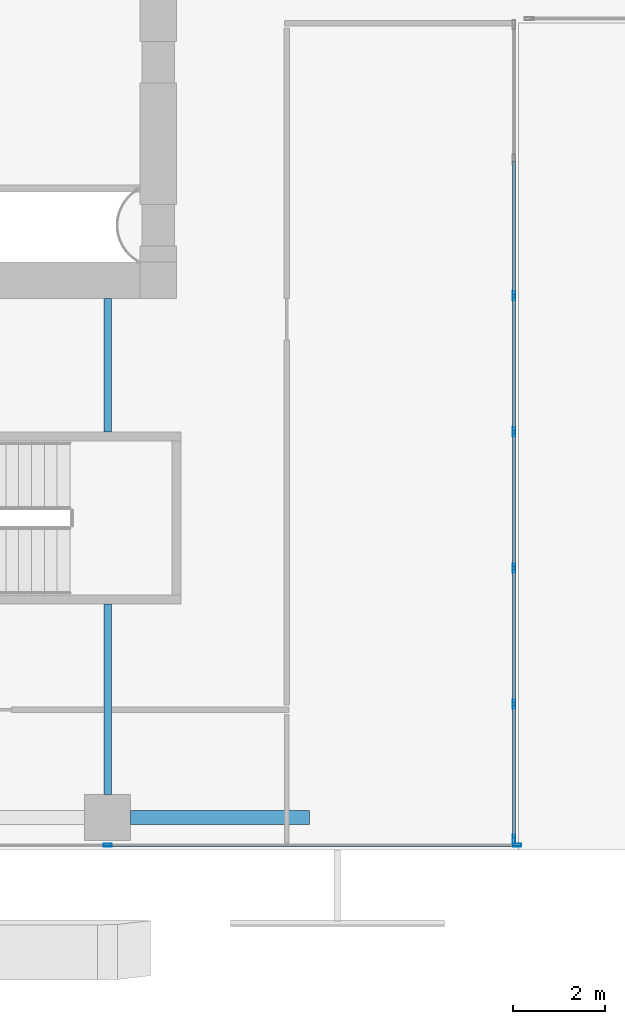
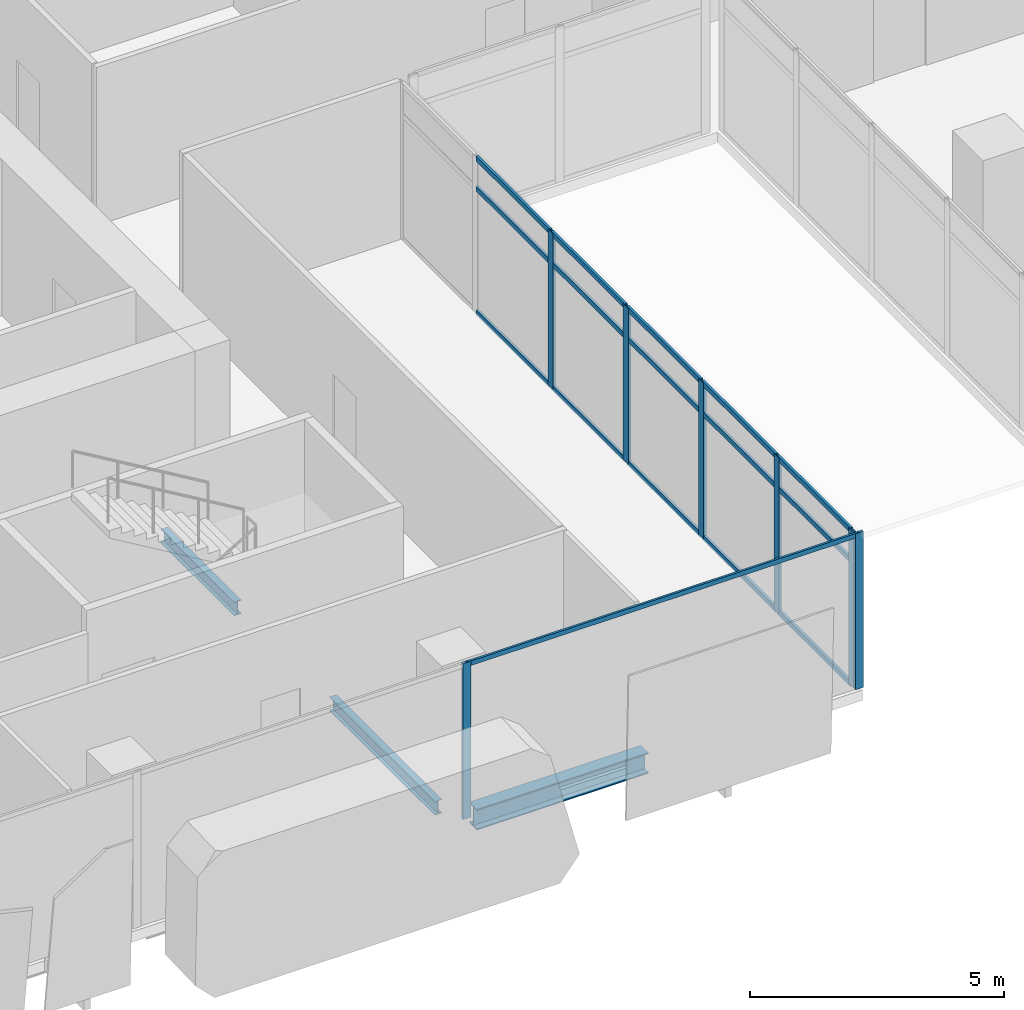
# One storey, part 5 of 40: 23 members, 3 beams, 2 elements without a shape of their own.
"""IFC4 building model written with IfcOpenShell, lengths in metres."""

from ifc_helpers import new_model, si_unit, direction, frame, origin, origin_2d, place, context, subcontext, project, spatial, hollow_rectangle, i_section, extrude, source, transform, mapped, material, material_profile, profile_set, type_object, element, aggregate, save


model = new_model("IFC4")

# Units and contexts
model_context = context("Model", 3, precision=1e-05, world=origin(), true_north=direction((0.0, 1.0)))
body_context = subcontext(model_context, "Body", "Model", "MODEL_VIEW")
ifc_project = project(units=[si_unit("LENGTHUNIT", "METRE"), si_unit("AREAUNIT", "SQUARE_METRE"), si_unit("VOLUMEUNIT", "CUBIC_METRE"), si_unit("PLANEANGLEUNIT", "RADIAN"), si_unit("MASSUNIT", "GRAM", prefix="KILO")], contexts=[model_context])

# Site, building, storey
site_placement = place(None, origin())
site = spatial("IfcSite", under=ifc_project, at=site_placement, CompositionType="ELEMENT")
building_placement = place(site_placement, origin())
building = spatial("IfcBuilding", under=site, at=building_placement, Name="Khomas Fold Tower", CompositionType="ELEMENT")
storey_placement = place(building_placement, frame((0.0, 0.0, 184.699951171875)))
storey = spatial("IfcBuildingStorey", under=building, at=storey_placement, Name="L40", CompositionType="ELEMENT", Elevation=184.699951171875)

# Beams
ifc_material_1 = material(Name="Steel S355", Category="steel")
ifc_material_profile_1 = material_profile(ifc_material_1, i_section(OverallWidth=0.300048828125, OverallDepth=0.5, WebThickness=0.014404296875, FlangeThickness=0.028076171875, at=origin_2d()), Name="HE 500 B")
ifc_profile_set_1 = profile_set([ifc_material_profile_1], Name="Steel S355")
beam_type_1 = type_object("IfcBeamType", Name="HE 500 B spandrel SB3", PredefinedType="SPANDREL", material=ifc_profile_set_1)
shared_shape_1 = source(origin(), body_context, "Body", "SweptSolid", [
    extrude(i_section(OverallWidth=0.300048828125, OverallDepth=0.5, WebThickness=0.014404296875, FlangeThickness=0.028076171875, at=origin_2d()), origin(), (0.0, 0.0, 1.0), 3.89990234375),
])
beam_1_placement = place(storey_placement, frame((20.0, 3.699951171875, -0.5), z_axis=(1.0, 0.0, 0.0), x_axis=(0.0, 1.0, 0.0)))
element("IfcBeam", 1, at=beam_1_placement, inside=storey, type_object=beam_type_1, Name="SB3", PredefinedType="SPANDREL", context=body_context, shape_type="MappedRepresentation", body=[
    mapped(shared_shape_1, transform((0.0, 0.0, 0.0))),
])
ifc_material_2 = material(Name="Steel S355", Category="steel")
ifc_material_profile_2 = material_profile(ifc_material_2, i_section(OverallWidth=0.159912109375, OverallDepth=0.330078125, WebThickness=0.007568359375, FlangeThickness=0.011474609375, at=origin_2d()), Name="IPE 330")
ifc_profile_set_2 = profile_set([ifc_material_profile_2], Name="Steel S355")
beam_type_2 = type_object("IfcBeamType", Name="IPE 330 beam JB1", PredefinedType="BEAM", material=ifc_profile_set_2)
shared_shape_2 = source(origin(), body_context, "Body", "SweptSolid", [
    extrude(i_section(OverallWidth=0.159912109375, OverallDepth=0.330078125, WebThickness=0.007568359375, FlangeThickness=0.011474609375, at=origin_2d()), origin(), (0.0, 0.0, 1.0), 4.150146484375),
])
beam_2_placement = place(storey_placement, frame((19.5, 4.199951171875, -0.4150390625), z_axis=(0.0, 1.0, 0.0), x_axis=(-1.0, 0.0, 0.0)))
element("IfcBeam", 2, at=beam_2_placement, inside=storey, type_object=beam_type_2, Name="JB1", PredefinedType="BEAM", context=body_context, shape_type="MappedRepresentation", body=[
    mapped(shared_shape_2, transform((0.0, 0.0, 0.0))),
])
shared_shape_3 = source(origin(), body_context, "Body", "SweptSolid", [
    extrude(i_section(OverallWidth=0.159912109375, OverallDepth=0.330078125, WebThickness=0.007568359375, FlangeThickness=0.011474609375, at=origin_2d()), origin(), (0.0, 0.0, 1.0), 2.89990234375),
])
beam_3_placement = place(storey_placement, frame((19.5, 12.10009765625, -0.4150390625), z_axis=(0.0, 1.0, 0.0), x_axis=(-1.0, 0.0, 0.0)))
element("IfcBeam", 3, at=beam_3_placement, inside=storey, type_object=beam_type_2, Name="JB1", PredefinedType="BEAM", context=body_context, shape_type="MappedRepresentation", body=[
    mapped(shared_shape_3, transform((0.0, 0.0, 0.0))),
])

# Curtain wall, members
ifc_material_3 = material(Name="Aluminium framed double glazing", Category="aluminium")
curtain_wall_type_1 = type_object("IfcCurtainWallType", Name="SK-Unitised clear-glass wall, office floors CW2", PredefinedType="NOTDEFINED", material=ifc_material_3)
curtain_wall_1_placement = place(storey_placement, origin())
curtain_wall_1 = element("IfcCurtainWall", 4, at=curtain_wall_1_placement, inside=storey, type_object=curtain_wall_type_1, Name="CW2 run L40 01-0", PredefinedType="NOTDEFINED")
ifc_material_4 = material(Name="Aluminium", Category="aluminium")
ifc_material_profile_3 = material_profile(ifc_material_4, hollow_rectangle(XDim=0.06005859375, YDim=0.179931640625, WallThickness=0.00390625, at=origin_2d()), Name="SK-Unitised clear-glass wall, office floors mullion CW2-M")
ifc_profile_set_3 = profile_set([ifc_material_profile_3], Name="Aluminium")
member_type_1 = type_object("IfcMemberType", Name="SK-Unitised clear-glass wall, office floors mullion CW2-M", PredefinedType="MULLION", material=ifc_profile_set_3)
shared_shape_4 = source(origin(), body_context, "Body", "SweptSolid", [
    extrude(hollow_rectangle(XDim=0.06005859375, YDim=0.179931640625, WallThickness=0.00390625, at=origin_2d()), origin(), (0.0, 0.0, 1.0), 3.75),
])
member_1_placement = place(storey_placement, frame((19.5, 3.10009765625, 0.0), z_axis=(0.0, 0.0, 1.0), x_axis=(0.0, 1.0, 0.0)))
member_1 = element("IfcMember", 5, at=member_1_placement, type_object=member_type_1, Name="CW2 mullion 4", PredefinedType="MULLION", context=body_context, shape_type="MappedRepresentation", body=[
    mapped(shared_shape_4, transform((0.0, 0.0, 0.0))),
])
member_2_placement = place(storey_placement, frame((28.419921875, 3.10009765625, 0.0), z_axis=(0.0, 0.0, 1.0), x_axis=(0.0, 1.0, 0.0)))
member_2 = element("IfcMember", 6, at=member_2_placement, type_object=member_type_1, Name="CW2 mullion 5", PredefinedType="MULLION", context=body_context, shape_type="MappedRepresentation", body=[
    mapped(shared_shape_4, transform((0.0, 0.0, 0.0))),
])
ifc_material_5 = material(Name="Aluminium", Category="aluminium")
ifc_material_profile_4 = material_profile(ifc_material_5, hollow_rectangle(XDim=0.050048828125, YDim=0.110107421875, WallThickness=0.00390625, at=origin_2d()), Name="SK-Unitised clear-glass wall, office floors transom CW2-T")
ifc_profile_set_4 = profile_set([ifc_material_profile_4], Name="Aluminium")
member_type_2 = type_object("IfcMemberType", Name="SK-Unitised clear-glass wall, office floors transom CW2-T", PredefinedType="USERDEFINED", material=ifc_profile_set_4)
shared_shape_5 = source(origin(), body_context, "Body", "SweptSolid", [
    extrude(hollow_rectangle(XDim=0.050048828125, YDim=0.110107421875, WallThickness=0.00390625, at=origin_2d()), origin(), (0.0, 0.0, 1.0), 8.85986328125),
])
member_3_placement = place(storey_placement, frame((19.530029296875, 3.10009765625, 3.695068359375), z_axis=(1.0, 0.0, 0.0), x_axis=(0.0, 1.0, 0.0)))
member_3 = element("IfcMember", 7, at=member_3_placement, type_object=member_type_2, Name="CW2 transom 4", ObjectType="TRANSOM", PredefinedType="USERDEFINED", context=body_context, shape_type="MappedRepresentation", body=[
    mapped(shared_shape_5, transform((0.0, 0.0, 0.0))),
])
aggregate(curtain_wall_1, [member_1, member_2, member_3])

ifc_material_6 = material(Name="Aluminium framed double glazing", Category="aluminium")
curtain_wall_type_2 = type_object("IfcCurtainWallType", Name="Notch glazing GN-CW", PredefinedType="NOTDEFINED", material=ifc_material_6)
curtain_wall_2_placement = place(storey_placement, origin())
curtain_wall_2 = element("IfcCurtainWall", 8, at=curtain_wall_2_placement, inside=storey, type_object=curtain_wall_type_2, Name="Notch glazing run", PredefinedType="NOTDEFINED")
ifc_material_7 = material(Name="Aluminium", Category="aluminium")
ifc_material_profile_5 = material_profile(ifc_material_7, hollow_rectangle(XDim=0.06005859375, YDim=0.1201171875, WallThickness=0.00390625, at=origin_2d()), Name="Notch glazing transom GN-CW-T")
ifc_profile_set_5 = profile_set([ifc_material_profile_5], Name="Aluminium")
member_type_3 = type_object("IfcMemberType", Name="Notch glazing transom GN-CW-T", PredefinedType="USERDEFINED", material=ifc_profile_set_5)
shared_shape_6 = source(origin(), body_context, "Body", "SweptSolid", [
    extrude(hollow_rectangle(XDim=0.06005859375, YDim=0.1201171875, WallThickness=0.00390625, at=origin_2d()), origin(), (0.0, 0.0, 1.0), 2.876708984375),
])
member_4_placement = place(storey_placement, frame((28.35009765625, 3.260009765625, 0.030029296875), z_axis=(0.0, 1.0, 0.0), x_axis=(-1.0, 0.0, 0.0)))
member_4 = element("IfcMember", 9, at=member_4_placement, type_object=member_type_3, Name="GN-CW transom 1.1", ObjectType="TRANSOM", PredefinedType="USERDEFINED", context=body_context, shape_type="MappedRepresentation", body=[
    mapped(shared_shape_6, transform((0.0, 0.0, 0.0))),
])
member_5_placement = place(storey_placement, frame((28.35009765625, 3.260009765625, 3.0), z_axis=(0.0, 1.0, 0.0), x_axis=(-1.0, 0.0, 0.0)))
member_5 = element("IfcMember", 10, at=member_5_placement, type_object=member_type_3, Name="GN-CW transom 1.2", ObjectType="TRANSOM", PredefinedType="USERDEFINED", context=body_context, shape_type="MappedRepresentation", body=[
    mapped(shared_shape_6, transform((0.0, 0.0, 0.0))),
])
member_6_placement = place(storey_placement, frame((28.35009765625, 3.260009765625, 3.719970703125), z_axis=(0.0, 1.0, 0.0), x_axis=(-1.0, 0.0, 0.0)))
member_6 = element("IfcMember", 11, at=member_6_placement, type_object=member_type_3, Name="GN-CW transom 1.3", ObjectType="TRANSOM", PredefinedType="USERDEFINED", context=body_context, shape_type="MappedRepresentation", body=[
    mapped(shared_shape_6, transform((0.0, 0.0, 0.0))),
])
shared_shape_7 = source(origin(), body_context, "Body", "SweptSolid", [
    extrude(hollow_rectangle(XDim=0.06005859375, YDim=0.1201171875, WallThickness=0.00390625, at=origin_2d()), origin(), (0.0, 0.0, 1.0), 2.90673828125),
])
member_7_placement = place(storey_placement, frame((28.35009765625, 9.163330078125, 0.030029296875), z_axis=(0.0, 1.0, 0.0), x_axis=(-1.0, 0.0, 0.0)))
member_7 = element("IfcMember", 12, at=member_7_placement, type_object=member_type_3, Name="GN-CW transom 3.1", ObjectType="TRANSOM", PredefinedType="USERDEFINED", context=body_context, shape_type="MappedRepresentation", body=[
    mapped(shared_shape_7, transform((0.0, 0.0, 0.0))),
])
member_8_placement = place(storey_placement, frame((28.35009765625, 9.163330078125, 3.0), z_axis=(0.0, 1.0, 0.0), x_axis=(-1.0, 0.0, 0.0)))
member_8 = element("IfcMember", 13, at=member_8_placement, type_object=member_type_3, Name="GN-CW transom 3.2", ObjectType="TRANSOM", PredefinedType="USERDEFINED", context=body_context, shape_type="MappedRepresentation", body=[
    mapped(shared_shape_7, transform((0.0, 0.0, 0.0))),
])
member_9_placement = place(storey_placement, frame((28.35009765625, 9.163330078125, 3.719970703125), z_axis=(0.0, 1.0, 0.0), x_axis=(-1.0, 0.0, 0.0)))
member_9 = element("IfcMember", 14, at=member_9_placement, type_object=member_type_3, Name="GN-CW transom 3.3", ObjectType="TRANSOM", PredefinedType="USERDEFINED", context=body_context, shape_type="MappedRepresentation", body=[
    mapped(shared_shape_7, transform((0.0, 0.0, 0.0))),
])
member_10_placement = place(storey_placement, frame((28.35009765625, 12.1298828125, 0.030029296875), z_axis=(0.0, 1.0, 0.0), x_axis=(-1.0, 0.0, 0.0)))
member_10 = element("IfcMember", 15, at=member_10_placement, type_object=member_type_3, Name="GN-CW transom 4.1", ObjectType="TRANSOM", PredefinedType="USERDEFINED", context=body_context, shape_type="MappedRepresentation", body=[
    mapped(shared_shape_7, transform((0.0, 0.0, 0.0))),
])
member_11_placement = place(storey_placement, frame((28.35009765625, 12.1298828125, 3.0), z_axis=(0.0, 1.0, 0.0), x_axis=(-1.0, 0.0, 0.0)))
member_11 = element("IfcMember", 16, at=member_11_placement, type_object=member_type_3, Name="GN-CW transom 4.2", ObjectType="TRANSOM", PredefinedType="USERDEFINED", context=body_context, shape_type="MappedRepresentation", body=[
    mapped(shared_shape_7, transform((0.0, 0.0, 0.0))),
])
member_12_placement = place(storey_placement, frame((28.35009765625, 12.1298828125, 3.719970703125), z_axis=(0.0, 1.0, 0.0), x_axis=(-1.0, 0.0, 0.0)))
member_12 = element("IfcMember", 17, at=member_12_placement, type_object=member_type_3, Name="GN-CW transom 4.3", ObjectType="TRANSOM", PredefinedType="USERDEFINED", context=body_context, shape_type="MappedRepresentation", body=[
    mapped(shared_shape_7, transform((0.0, 0.0, 0.0))),
])
member_13_placement = place(storey_placement, frame((28.35009765625, 15.0966796875, 0.030029296875), z_axis=(0.0, 1.0, 0.0), x_axis=(-1.0, 0.0, 0.0)))
member_13 = element("IfcMember", 18, at=member_13_placement, type_object=member_type_3, Name="GN-CW transom 5.1", ObjectType="TRANSOM", PredefinedType="USERDEFINED", context=body_context, shape_type="MappedRepresentation", body=[
    mapped(shared_shape_7, transform((0.0, 0.0, 0.0))),
])
member_14_placement = place(storey_placement, frame((28.35009765625, 15.0966796875, 3.0), z_axis=(0.0, 1.0, 0.0), x_axis=(-1.0, 0.0, 0.0)))
member_14 = element("IfcMember", 19, at=member_14_placement, type_object=member_type_3, Name="GN-CW transom 5.2", ObjectType="TRANSOM", PredefinedType="USERDEFINED", context=body_context, shape_type="MappedRepresentation", body=[
    mapped(shared_shape_7, transform((0.0, 0.0, 0.0))),
])
member_15_placement = place(storey_placement, frame((28.35009765625, 15.0966796875, 3.719970703125), z_axis=(0.0, 1.0, 0.0), x_axis=(-1.0, 0.0, 0.0)))
member_15 = element("IfcMember", 20, at=member_15_placement, type_object=member_type_3, Name="GN-CW transom 5.3", ObjectType="TRANSOM", PredefinedType="USERDEFINED", context=body_context, shape_type="MappedRepresentation", body=[
    mapped(shared_shape_7, transform((0.0, 0.0, 0.0))),
])
shared_shape_8 = source(origin(), body_context, "Body", "SweptSolid", [
    extrude(hollow_rectangle(XDim=0.06005859375, YDim=0.1201171875, WallThickness=0.00390625, at=origin_2d()), origin(), (0.0, 0.0, 1.0), 2.906494140625),
])
member_16_placement = place(storey_placement, frame((28.35009765625, 6.19677734375, 0.030029296875), z_axis=(0.0, 1.0, 0.0), x_axis=(-1.0, 0.0, 0.0)))
member_16 = element("IfcMember", 21, at=member_16_placement, type_object=member_type_3, Name="GN-CW transom 2.1", ObjectType="TRANSOM", PredefinedType="USERDEFINED", context=body_context, shape_type="MappedRepresentation", body=[
    mapped(shared_shape_8, transform((0.0, 0.0, 0.0))),
])
member_17_placement = place(storey_placement, frame((28.35009765625, 6.19677734375, 3.0), z_axis=(0.0, 1.0, 0.0), x_axis=(-1.0, 0.0, 0.0)))
member_17 = element("IfcMember", 22, at=member_17_placement, type_object=member_type_3, Name="GN-CW transom 2.2", ObjectType="TRANSOM", PredefinedType="USERDEFINED", context=body_context, shape_type="MappedRepresentation", body=[
    mapped(shared_shape_8, transform((0.0, 0.0, 0.0))),
])
member_18_placement = place(storey_placement, frame((28.35009765625, 6.19677734375, 3.719970703125), z_axis=(0.0, 1.0, 0.0), x_axis=(-1.0, 0.0, 0.0)))
member_18 = element("IfcMember", 23, at=member_18_placement, type_object=member_type_3, Name="GN-CW transom 2.3", ObjectType="TRANSOM", PredefinedType="USERDEFINED", context=body_context, shape_type="MappedRepresentation", body=[
    mapped(shared_shape_8, transform((0.0, 0.0, 0.0))),
])
ifc_material_8 = material(Name="Aluminium", Category="aluminium")
ifc_material_profile_6 = material_profile(ifc_material_8, hollow_rectangle(XDim=0.06005859375, YDim=0.199951171875, WallThickness=0.00390625, at=origin_2d()), Name="Notch glazing mullion GN-CW-M")
ifc_profile_set_6 = profile_set([ifc_material_profile_6], Name="Aluminium")
member_type_4 = type_object("IfcMemberType", Name="Notch glazing mullion GN-CW-M", PredefinedType="MULLION", material=ifc_profile_set_6)
shared_shape_9 = source(origin(), body_context, "Body", "SweptSolid", [
    extrude(hollow_rectangle(XDim=0.06005859375, YDim=0.199951171875, WallThickness=0.00390625, at=origin_2d()), origin(), (0.0, 0.0, 1.0), 3.75),
])
member_19_placement = place(storey_placement, frame((28.35009765625, 3.22998046875, 0.0), z_axis=(0.0, 0.0, 1.0), x_axis=(-1.0, 0.0, 0.0)))
member_19 = element("IfcMember", 24, at=member_19_placement, type_object=member_type_4, Name="GN-CW mullion 1", PredefinedType="MULLION", context=body_context, shape_type="MappedRepresentation", body=[
    mapped(shared_shape_9, transform((0.0, 0.0, 0.0))),
])
member_20_placement = place(storey_placement, frame((28.35009765625, 6.166748046875, 0.0), z_axis=(0.0, 0.0, 1.0), x_axis=(-1.0, 0.0, 0.0)))
member_20 = element("IfcMember", 25, at=member_20_placement, type_object=member_type_4, Name="GN-CW mullion 2", PredefinedType="MULLION", context=body_context, shape_type="MappedRepresentation", body=[
    mapped(shared_shape_9, transform((0.0, 0.0, 0.0))),
])
member_21_placement = place(storey_placement, frame((28.35009765625, 9.13330078125, 0.0), z_axis=(0.0, 0.0, 1.0), x_axis=(-1.0, 0.0, 0.0)))
member_21 = element("IfcMember", 26, at=member_21_placement, type_object=member_type_4, Name="GN-CW mullion 3", PredefinedType="MULLION", context=body_context, shape_type="MappedRepresentation", body=[
    mapped(shared_shape_9, transform((0.0, 0.0, 0.0))),
])
member_22_placement = place(storey_placement, frame((28.35009765625, 12.10009765625, 0.0), z_axis=(0.0, 0.0, 1.0), x_axis=(-1.0, 0.0, 0.0)))
member_22 = element("IfcMember", 27, at=member_22_placement, type_object=member_type_4, Name="GN-CW mullion 4", PredefinedType="MULLION", context=body_context, shape_type="MappedRepresentation", body=[
    mapped(shared_shape_9, transform((0.0, 0.0, 0.0))),
])
member_23_placement = place(storey_placement, frame((28.35009765625, 15.066650390625, 0.0), z_axis=(0.0, 0.0, 1.0), x_axis=(-1.0, 0.0, 0.0)))
member_23 = element("IfcMember", 28, at=member_23_placement, type_object=member_type_4, Name="GN-CW mullion 5", PredefinedType="MULLION", context=body_context, shape_type="MappedRepresentation", body=[
    mapped(shared_shape_9, transform((0.0, 0.0, 0.0))),
])
aggregate(curtain_wall_2, [member_19, member_20, member_21, member_22, member_23, member_4, member_5, member_6, member_16, member_17, member_18, member_7, member_8, member_9, member_10, member_11, member_12, member_13, member_14, member_15])

save(model, "model.ifc")
